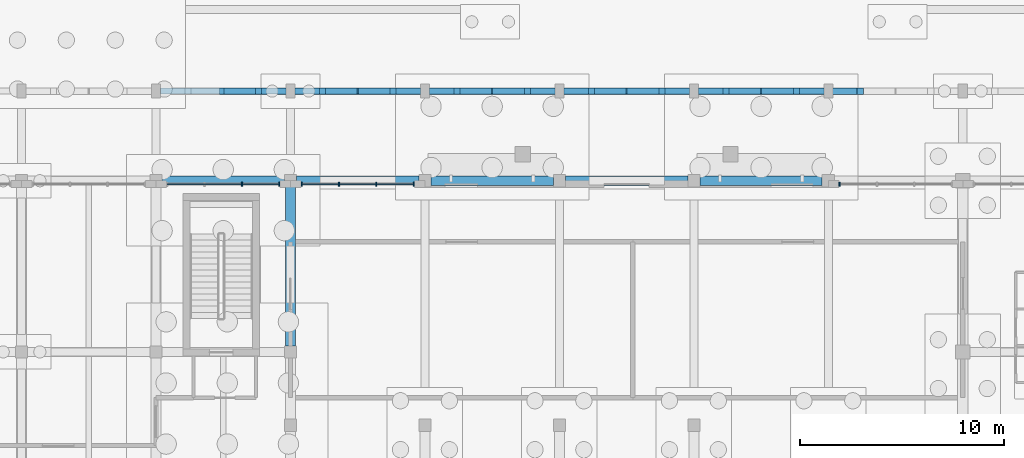
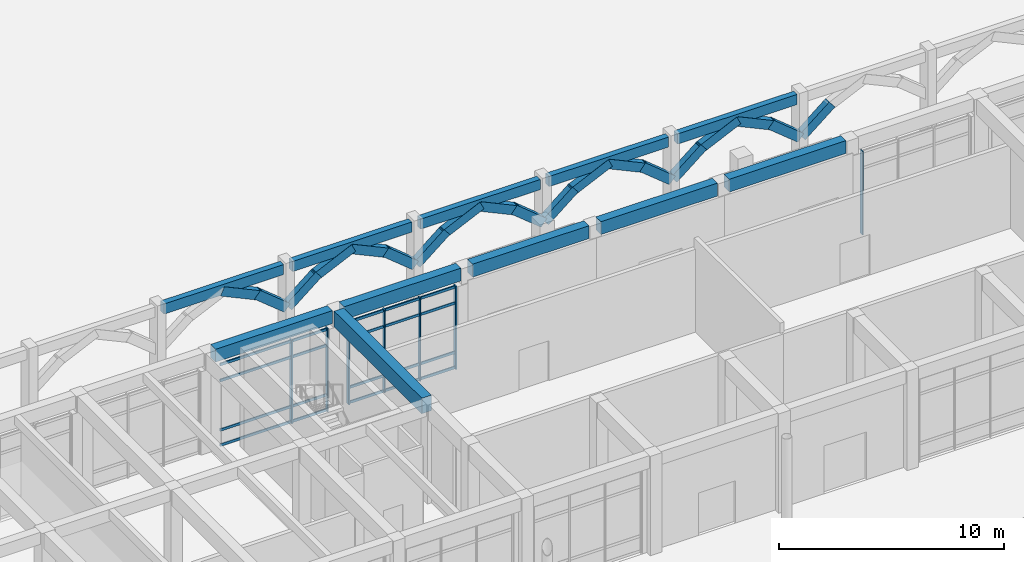
# One storey, part 30 of 82: 34 members, 11 beams, 3 elements without a shape of their own.
"""IFC4 building model written with IfcOpenShell, lengths in metres."""

import ifcopenshell
import ifcopenshell.guid

model = None  # the IFC model being written
_history = None  # IfcOwnerHistory: only IFC2X3 demands one
_inside = {}  # id of a spatial element -> (the spatial element, [elements in it])
_under = {}  # id of a project, library or spatial element -> (it, [spatial elements below it])
_declared = {}  # id of a project -> (the project, [libraries it declares])
_typed = {}  # id of a type object -> (the type object, [elements of that type])
_made_of = {}  # id of a material, layer set ... -> (it, [elements and type objects made of it])


def new_model(schema):
    """Start an empty IFC model of exactly this schema.

    Asked for "IFC4X3", IfcOpenShell would pick the latest addendum, in which some entities
    have other attributes; the version numbers below select the first issue.
    IFC2X3 requires an IfcOwnerHistory on every rooted entity: one is made here for all.
    """
    global model, _history
    if schema == "IFC4X3":
        model = ifcopenshell.file(schema_version=(4, 3, 0, 0))
    else:
        model = ifcopenshell.file(schema=schema)
    _inside.clear()
    _under.clear()
    _declared.clear()
    _typed.clear()
    _made_of.clear()
    _history = None
    if model.schema == "IFC2X3":
        org = make("IfcOrganization", Name="unknown")
        user = make(
            "IfcPersonAndOrganization",
            ThePerson=make("IfcPerson", FamilyName="unknown"),
            TheOrganization=org,
        )
        app = make(
            "IfcApplication",
            ApplicationDeveloper=org,
            Version="unknown",
            ApplicationFullName="unknown",
            ApplicationIdentifier="unknown",
        )
        _history = make(
            "IfcOwnerHistory",
            OwningUser=user,
            OwningApplication=app,
            ChangeAction="ADDED",
            CreationDate=0,
        )
    return model


def make(cls, **values):
    """One entity of the class cls with the attributes given. An attribute that is None is left unset."""
    return model.create_entity(
        cls, **{name: value for name, value in values.items() if value is not None}
    )


def rooted(cls, **values):
    """An entity with a GlobalId (a new one), such as an element, a storey or a relation."""
    return make(cls, GlobalId=ifcopenshell.guid.new(), OwnerHistory=_history, **values)


def si_unit(unit_type, name, prefix=None):
    """IfcSIUnit, for example si_unit("LENGTHUNIT", "METRE", prefix="MILLI")."""
    return make("IfcSIUnit", UnitType=unit_type, Prefix=prefix, Name=name)


def assignment(units):
    """IfcUnitAssignment: the units of a project."""
    return None if units is None else make("IfcUnitAssignment", Units=units)


def point(xyz):
    """IfcCartesianPoint."""
    return None if xyz is None else make("IfcCartesianPoint", Coordinates=xyz)


def direction(xyz):
    """IfcDirection."""
    return None if xyz is None else make("IfcDirection", DirectionRatios=xyz)


def frame(location, z_axis=None, x_axis=None):
    """IfcAxis2Placement3D, a coordinate frame: its origin and axes. An axis left out is left unset."""
    return make(
        "IfcAxis2Placement3D",
        Location=point(location),
        Axis=direction(z_axis),
        RefDirection=direction(x_axis),
    )


def frame_2d(location, x_axis=None):
    """IfcAxis2Placement2D, a coordinate frame in the plane: its origin and x axis."""
    return make(
        "IfcAxis2Placement2D", Location=point(location), RefDirection=direction(x_axis)
    )


def origin():
    """The frame at (0, 0, 0) with its axes left unset."""
    return frame((0.0, 0.0, 0.0))


def origin_2d():
    """The frame at (0, 0) in the plane with its x axis left unset."""
    return frame_2d((0.0, 0.0))


def place(relative_to, where):
    """IfcLocalPlacement: puts the frame where relative to a parent placement (None: the world)."""
    return make(
        "IfcLocalPlacement", PlacementRelTo=relative_to, RelativePlacement=where
    )


def context(
    kind, dimensions, precision=None, world=None, true_north=None, identifier=None
):
    """IfcGeometricRepresentationContext, for example the 3D "Model" context."""
    return make(
        "IfcGeometricRepresentationContext",
        ContextIdentifier=identifier,
        ContextType=kind,
        CoordinateSpaceDimension=dimensions,
        Precision=precision,
        WorldCoordinateSystem=world,
        TrueNorth=true_north,
    )


def subcontext(parent, identifier, kind, view, scale=None):
    """IfcGeometricRepresentationSubContext, for example "Body" below "Model"."""
    return make(
        "IfcGeometricRepresentationSubContext",
        ContextIdentifier=identifier,
        ContextType=kind,
        ParentContext=parent,
        TargetScale=scale,
        TargetView=view,
    )


def project(units=None, contexts=None):
    """IfcProject with its units and contexts."""
    return rooted(
        "IfcProject",
        Name="project",
        RepresentationContexts=contexts,
        UnitsInContext=assignment(units),
    )


def spatial(cls, under=None, at=None, **own):
    """A site, building, storey or space (cls), placed at a placement, below another one or the project."""
    s = rooted(cls, ObjectPlacement=at, **own)
    if under is not None:
        _under.setdefault(under.id(), (under, []))[1].append(s)
    return s


def profile(cls, at=None, kind="AREA", **sizes):
    """A parametric profile (cls). Its sizes go by their IFC names, for example OverallWidth=200.0."""
    return make(cls, ProfileType=kind, Position=at, **sizes)


def rectangle(**sizes):
    """IfcRectangleProfileDef."""
    return profile("IfcRectangleProfileDef", **sizes)


def extrude(swept, where, along, depth):
    """IfcExtrudedAreaSolid: the profile swept, set in the frame where, extruded along a direction by depth."""
    return make(
        "IfcExtrudedAreaSolid",
        SweptArea=swept,
        Position=where,
        ExtrudedDirection=direction(along),
        Depth=depth,
    )


def shape(context_of_items, identifier, shape_type, items):
    """IfcShapeRepresentation: the items that make up one representation, for example the "Body"."""
    return make(
        "IfcShapeRepresentation",
        ContextOfItems=context_of_items,
        RepresentationIdentifier=identifier,
        RepresentationType=shape_type,
        Items=items,
    )


def material(Name=None, Category=None):
    """IfcMaterial."""
    return make("IfcMaterial", Name=Name, Category=Category)


def layer(
    of_material, thickness, ventilated=None, Name=None, Category=None, Priority=None
):
    """IfcMaterialLayer: one layer of a wall or slab, of a material (None: an air gap)."""
    return make(
        "IfcMaterialLayer",
        Material=of_material,
        LayerThickness=thickness,
        IsVentilated=ventilated,
        Name=Name,
        Category=Category,
        Priority=Priority,
    )


def layer_set(layers, Name=None):
    """IfcMaterialLayerSet."""
    return make("IfcMaterialLayerSet", MaterialLayers=layers, LayerSetName=Name)


def material_profile(
    of_material, cross_section, Name=None, Category=None, Priority=None
):
    """IfcMaterialProfile: a cross section and its material."""
    return make(
        "IfcMaterialProfile",
        Name=Name,
        Material=of_material,
        Profile=cross_section,
        Priority=Priority,
        Category=Category,
    )


def profile_set(profiles, Name=None, composite=None):
    """IfcMaterialProfileSet."""
    return make(
        "IfcMaterialProfileSet",
        Name=Name,
        MaterialProfiles=profiles,
        CompositeProfile=composite,
    )


def made_of(thing, what):
    """Note that an element or type object is made of a material, layer set ...; save() writes the relation."""
    if what is not None:
        _made_of.setdefault(what.id(), (what, []))[1].append(thing)
    return thing


def type_object(cls, material=None, **own):
    """A type object (cls), such as IfcWallType, which elements share."""
    return made_of(rooted(cls, **own), material)


def element(
    cls,
    number,
    at=None,
    inside=None,
    cuts=None,
    type_object=None,
    material=None,
    context=None,
    identifier="Body",
    shape_type=None,
    held_by="IfcProductDefinitionShape",
    body=None,
    shapes=None,
    **own,
):
    """One element of the class cls, such as IfcWall. Its Tag is "e" and its number.

    at: its placement. inside: the storey or other place that contains it. cuts: it is an
    opening in that element (IfcRelVoidsElement). A single representation is given by context,
    identifier, shape_type and body (its items); several are given by shapes. held_by: the class
    of the entity that holds the representations. save() writes the other relations.
    """
    e = rooted(cls, Tag="e%d" % number, ObjectPlacement=at, **own)
    if body is not None:
        shapes = [shape(context, identifier, shape_type, body)]
    if shapes is not None:
        e.Representation = make(held_by, Representations=shapes)
    if inside is not None:
        _inside.setdefault(inside.id(), (inside, []))[1].append(e)
    if cuts is not None:
        rooted(
            "IfcRelVoidsElement", RelatingBuildingElement=cuts, RelatedOpeningElement=e
        )
    if type_object is not None:
        _typed.setdefault(type_object.id(), (type_object, []))[1].append(e)
    return made_of(e, material)


def aggregate(whole, parts):
    """IfcRelAggregates: a whole, such as a stair, and the parts it consists of."""
    return rooted("IfcRelAggregates", RelatingObject=whole, RelatedObjects=parts)


def save(model, path):
    """Write the relations noted so far, then the file.

    IfcRelAggregates (storeys below a building ...), IfcRelContainedInSpatialStructure (elements
    in a storey), IfcRelDefinesByType, IfcRelAssociatesMaterial and IfcRelDeclares: one each for
    every whole, place, type object, material and project.
    """
    for whole, parts in _under.values():
        aggregate(whole, parts)
    for where, things in _inside.values():
        rooted(
            "IfcRelContainedInSpatialStructure",
            RelatedElements=things,
            RelatingStructure=where,
        )
    for kind, things in _typed.values():
        rooted("IfcRelDefinesByType", RelatedObjects=things, RelatingType=kind)
    for what, things in _made_of.values():
        rooted("IfcRelAssociatesMaterial", RelatedObjects=things, RelatingMaterial=what)
    for by, libraries in _declared.values():
        rooted("IfcRelDeclares", RelatingContext=by, RelatedDefinitions=libraries)
    model.write(path)


model = new_model("IFC4")

# Units and contexts
model_context = context("Model", 3, precision=1e-05, world=origin(), true_north=direction((0.0, 1.0)))
body_context = subcontext(model_context, "Body", "Model", "MODEL_VIEW")
ifc_project = project(units=[si_unit("LENGTHUNIT", "METRE"), si_unit("AREAUNIT", "SQUARE_METRE"), si_unit("VOLUMEUNIT", "CUBIC_METRE"), si_unit("PLANEANGLEUNIT", "RADIAN"), si_unit("MASSUNIT", "GRAM", prefix="KILO")], contexts=[model_context])

# Site, building, storey
site_placement = place(None, origin())
site = spatial("IfcSite", under=ifc_project, at=site_placement, CompositionType="ELEMENT")
building_placement = place(site_placement, origin())
building = spatial("IfcBuilding", under=site, at=building_placement, Name="Kolvaren Faculty of Natural Sciences", CompositionType="ELEMENT")
storey_placement = place(building_placement, origin())
storey = spatial("IfcBuildingStorey", under=building, at=storey_placement, Name="L00", CompositionType="ELEMENT", Elevation=0.0)

# Curtain wall, members
ifc_material_1 = material(Name="Thermally broken anodised aluminium framing", Category="aluminium")
ifc_layer = layer(ifc_material_1, 0.179931640625)
ifc_layer_set = layer_set([ifc_layer], Name="Thermally broken anodised aluminium framing")
curtain_wall_type = type_object("IfcCurtainWallType", Name="AtriumCurtainWall_CW01", PredefinedType="NOTDEFINED", material=ifc_layer_set)
curtain_wall_1_placement = place(storey_placement, origin())
curtain_wall_1 = element("IfcCurtainWall", 1, at=curtain_wall_1_placement, inside=storey, type_object=curtain_wall_type, Name="L00 unitised curtain wall CW-01 (CW-L00-009)", PredefinedType="NOTDEFINED")
ifc_material_profile_1 = material_profile(ifc_material_1, rectangle(XDim=0.06005859375, YDim=0.179931640625, at=origin_2d()), Name="ALU MUL 60x180")
ifc_profile_set_1 = profile_set([ifc_material_profile_1], Name="Thermally broken anodised aluminium framing")
member_type_1 = type_object("IfcMemberType", Name="CurtainMullion_60x180", PredefinedType="MULLION", material=ifc_profile_set_1)
member_1_placement = place(storey_placement, frame((63.816650390625, 84.030029296875, 0.0), z_axis=(0.0, 0.0, 1.0), x_axis=(1.0, 0.0, 0.0)))
member_1 = element("IfcMember", 2, at=member_1_placement, type_object=member_type_1, Name="CW-L00-009 vertical mullion 3", PredefinedType="MULLION", context=body_context, shape_type="SweptSolid", body=[
    extrude(rectangle(XDim=0.06005859375, YDim=0.179931640625, at=origin_2d()), origin(), (0.0, 0.0, 1.0), 4.534912109375),
])
member_2_placement = place(storey_placement, frame((65.64990234375, 84.030029296875, 0.0), z_axis=(0.0, 0.0, 1.0), x_axis=(1.0, 0.0, 0.0)))
member_2 = element("IfcMember", 3, at=member_2_placement, type_object=member_type_1, Name="CW-L00-009 vertical mullion 4", PredefinedType="MULLION", context=body_context, shape_type="SweptSolid", body=[
    extrude(rectangle(XDim=0.06005859375, YDim=0.179931640625, at=origin_2d()), origin(), (0.0, 0.0, 1.0), 4.534912109375),
])

curtain_wall_2_placement = place(storey_placement, origin())
curtain_wall_2 = element("IfcCurtainWall", 4, at=curtain_wall_2_placement, inside=storey, type_object=curtain_wall_type, Name="L00 unitised curtain wall CW-01 (CW-L00-010)", PredefinedType="NOTDEFINED")
member_3_placement = place(storey_placement, frame((66.75, 84.030029296875, 0.0), z_axis=(0.0, 0.0, 1.0), x_axis=(1.0, 0.0, 0.0)))
member_3 = element("IfcMember", 5, at=member_3_placement, type_object=member_type_1, Name="CW-L00-010 vertical mullion 1", PredefinedType="MULLION", context=body_context, shape_type="SweptSolid", body=[
    extrude(rectangle(XDim=0.06005859375, YDim=0.179931640625, at=origin_2d()), origin(), (0.0, 0.0, 1.0), 4.534912109375),
])
member_4_placement = place(storey_placement, frame((68.583251953125, 84.030029296875, 0.0), z_axis=(0.0, 0.0, 1.0), x_axis=(1.0, 0.0, 0.0)))
member_4 = element("IfcMember", 6, at=member_4_placement, type_object=member_type_1, Name="CW-L00-010 vertical mullion 2", PredefinedType="MULLION", context=body_context, shape_type="SweptSolid", body=[
    extrude(rectangle(XDim=0.06005859375, YDim=0.179931640625, at=origin_2d()), origin(), (0.0, 0.0, 1.0), 4.534912109375),
])
member_5_placement = place(storey_placement, frame((70.416748046875, 84.030029296875, 0.0), z_axis=(0.0, 0.0, 1.0), x_axis=(1.0, 0.0, 0.0)))
member_5 = element("IfcMember", 7, at=member_5_placement, type_object=member_type_1, Name="CW-L00-010 vertical mullion 3", PredefinedType="MULLION", context=body_context, shape_type="SweptSolid", body=[
    extrude(rectangle(XDim=0.06005859375, YDim=0.179931640625, at=origin_2d()), origin(), (0.0, 0.0, 1.0), 4.534912109375),
])
member_6_placement = place(storey_placement, frame((72.25, 84.030029296875, 0.0), z_axis=(0.0, 0.0, 1.0), x_axis=(1.0, 0.0, 0.0)))
member_6 = element("IfcMember", 8, at=member_6_placement, type_object=member_type_1, Name="CW-L00-010 vertical mullion 4", PredefinedType="MULLION", context=body_context, shape_type="SweptSolid", body=[
    extrude(rectangle(XDim=0.06005859375, YDim=0.179931640625, at=origin_2d()), origin(), (0.0, 0.0, 1.0), 4.534912109375),
])

# Curtain wall, member
curtain_wall_3_placement = place(storey_placement, origin())
curtain_wall_3 = element("IfcCurtainWall", 9, at=curtain_wall_3_placement, inside=storey, type_object=curtain_wall_type, Name="L00 unitised curtain wall CW-01 (CW-L00-011)", PredefinedType="NOTDEFINED")
member_7_placement = place(storey_placement, frame((93.14990234375, 84.030029296875, 0.0), z_axis=(0.0, 0.0, 1.0), x_axis=(1.0, 0.0, 0.0)))
member_7 = element("IfcMember", 10, at=member_7_placement, type_object=member_type_1, Name="CW-L00-011 vertical mullion 1", PredefinedType="MULLION", context=body_context, shape_type="SweptSolid", body=[
    extrude(rectangle(XDim=0.06005859375, YDim=0.179931640625, at=origin_2d()), origin(), (0.0, 0.0, 1.0), 4.534912109375),
])
aggregate(curtain_wall_3, [member_7])

# Member
ifc_material_profile_2 = material_profile(ifc_material_1, rectangle(XDim=0.06005859375, YDim=0.139892578125, at=origin_2d()), Name="ALU TRN 60x140")
ifc_profile_set_2 = profile_set([ifc_material_profile_2], Name="Thermally broken anodised aluminium framing")
member_type_2 = type_object("IfcMemberType", Name="CurtainTransom_60x140", PredefinedType="USERDEFINED", material=ifc_profile_set_2)
member_8_placement = place(storey_placement, frame((60.14990234375, 84.030029296875, 0.080078125), z_axis=(1.0, 0.0, 0.0), x_axis=(0.0, 1.0, 0.0)))
member_8 = element("IfcMember", 11, at=member_8_placement, type_object=member_type_2, Name="CW-L00-009 horizontal transom 1", ObjectType="TRANSOM", PredefinedType="USERDEFINED", context=body_context, shape_type="SweptSolid", body=[
    extrude(rectangle(XDim=0.06005859375, YDim=0.139892578125, at=origin_2d()), origin(), (0.0, 0.0, 1.0), 5.5),
])

member_9_placement = place(storey_placement, frame((60.14990234375, 84.030029296875, 0.89990234375), z_axis=(1.0, 0.0, 0.0), x_axis=(0.0, 1.0, 0.0)))
member_9 = element("IfcMember", 12, at=member_9_placement, type_object=member_type_2, Name="CW-L00-009 horizontal transom 2", ObjectType="TRANSOM", PredefinedType="USERDEFINED", context=body_context, shape_type="SweptSolid", body=[
    extrude(rectangle(XDim=0.06005859375, YDim=0.139892578125, at=origin_2d()), origin(), (0.0, 0.0, 1.0), 5.5),
])

member_10_placement = place(storey_placement, frame((60.14990234375, 84.030029296875, 3.5849609375), z_axis=(1.0, 0.0, 0.0), x_axis=(0.0, 1.0, 0.0)))
member_10 = element("IfcMember", 13, at=member_10_placement, type_object=member_type_2, Name="CW-L00-009 horizontal transom 3", ObjectType="TRANSOM", PredefinedType="USERDEFINED", context=body_context, shape_type="SweptSolid", body=[
    extrude(rectangle(XDim=0.06005859375, YDim=0.139892578125, at=origin_2d()), origin(), (0.0, 0.0, 1.0), 5.5),
])

member_11_placement = place(storey_placement, frame((60.14990234375, 84.030029296875, 4.455078125), z_axis=(1.0, 0.0, 0.0), x_axis=(0.0, 1.0, 0.0)))
member_11 = element("IfcMember", 14, at=member_11_placement, type_object=member_type_2, Name="CW-L00-009 horizontal transom 4", ObjectType="TRANSOM", PredefinedType="USERDEFINED", context=body_context, shape_type="SweptSolid", body=[
    extrude(rectangle(XDim=0.06005859375, YDim=0.139892578125, at=origin_2d()), origin(), (0.0, 0.0, 1.0), 5.5),
])

aggregate(curtain_wall_1, [member_1, member_2, member_8, member_9, member_10, member_11])

member_12_placement = place(storey_placement, frame((66.75, 84.030029296875, 0.080078125), z_axis=(1.0, 0.0, 0.0), x_axis=(0.0, 1.0, 0.0)))
member_12 = element("IfcMember", 15, at=member_12_placement, type_object=member_type_2, Name="CW-L00-010 horizontal transom 1", ObjectType="TRANSOM", PredefinedType="USERDEFINED", context=body_context, shape_type="SweptSolid", body=[
    extrude(rectangle(XDim=0.06005859375, YDim=0.139892578125, at=origin_2d()), origin(), (0.0, 0.0, 1.0), 5.5),
])

member_13_placement = place(storey_placement, frame((66.75, 84.030029296875, 0.89990234375), z_axis=(1.0, 0.0, 0.0), x_axis=(0.0, 1.0, 0.0)))
member_13 = element("IfcMember", 16, at=member_13_placement, type_object=member_type_2, Name="CW-L00-010 horizontal transom 2", ObjectType="TRANSOM", PredefinedType="USERDEFINED", context=body_context, shape_type="SweptSolid", body=[
    extrude(rectangle(XDim=0.06005859375, YDim=0.139892578125, at=origin_2d()), origin(), (0.0, 0.0, 1.0), 5.5),
])

member_14_placement = place(storey_placement, frame((66.75, 84.030029296875, 3.5849609375), z_axis=(1.0, 0.0, 0.0), x_axis=(0.0, 1.0, 0.0)))
member_14 = element("IfcMember", 17, at=member_14_placement, type_object=member_type_2, Name="CW-L00-010 horizontal transom 3", ObjectType="TRANSOM", PredefinedType="USERDEFINED", context=body_context, shape_type="SweptSolid", body=[
    extrude(rectangle(XDim=0.06005859375, YDim=0.139892578125, at=origin_2d()), origin(), (0.0, 0.0, 1.0), 5.5),
])

member_15_placement = place(storey_placement, frame((66.75, 84.030029296875, 4.455078125), z_axis=(1.0, 0.0, 0.0), x_axis=(0.0, 1.0, 0.0)))
member_15 = element("IfcMember", 18, at=member_15_placement, type_object=member_type_2, Name="CW-L00-010 horizontal transom 4", ObjectType="TRANSOM", PredefinedType="USERDEFINED", context=body_context, shape_type="SweptSolid", body=[
    extrude(rectangle(XDim=0.06005859375, YDim=0.139892578125, at=origin_2d()), origin(), (0.0, 0.0, 1.0), 5.5),
])

aggregate(curtain_wall_2, [member_3, member_4, member_5, member_6, member_12, member_13, member_14, member_15])

# Members
ifc_material_2 = material(Name="Precast concrete C35/45", Category="concrete")
ifc_material_profile_3 = material_profile(ifc_material_2, rectangle(XDim=0.320068359375, YDim=0.47998046875, at=origin_2d()), Name="RC ARCH 320x480")
ifc_profile_set_3 = profile_set([ifc_material_profile_3], Name="Precast concrete C35/45")
member_type_3 = type_object("IfcMemberType", Name="MughalPointedArchRib_320x480", PredefinedType="CHORD", material=ifc_profile_set_3)
member_16_placement = place(storey_placement, frame((62.827392578125, 88.60009765625, 4.813720703125), z_axis=(0.907100951043, 0.0, -0.420913131914), x_axis=(0.0, 1.0, 0.0)))
element("IfcMember", 19, at=member_16_placement, inside=storey, type_object=member_type_3, Name="Pointed Mughal arch rib ARW-S-596 segment 3", PredefinedType="CHORD", context=body_context, shape_type="SweptSolid", body=[
    extrude(rectangle(XDim=0.320068359375, YDim=0.47998046875, at=origin_2d()), origin(), (0.0, 0.0, 1.0), 2.1357421875),
])
for number, where, z_axis, x_axis, name in (
    (20, (64.6298828125, 88.60009765625, 3.9990234375), (0.774979608522, 0.0, -0.631986239072), (0.0, 1.0, 0.0), "Pointed Mughal arch rib ARW-S-596 segment 4"),
    (21, (66.238037109375, 88.60009765625, 2.74951171875), (0.774930281496, 0.0, 0.632046722023), (0.0, 1.0, 0.0), "Pointed Mughal arch rib ARW-S-662 segment 1"),
):
    element("IfcMember", number, at=place(storey_placement, frame(where, z_axis=z_axis, x_axis=x_axis)), inside=storey, type_object=member_type_3, Name=name, PredefinedType="CHORD", context=body_context, shape_type="SweptSolid", body=[
        extrude(rectangle(XDim=0.320068359375, YDim=0.47998046875, at=origin_2d()), origin(), (0.0, 0.0, 1.0), 1.97705078125),
    ])
for number, where, z_axis, x_axis, name in (
    (22, (67.635498046875, 88.60009765625, 3.914794921875), (0.907080694692, 0.0, 0.420956783193), (0.0, 1.0, 0.0), "Pointed Mughal arch rib ARW-S-662 segment 2"),
    (23, (69.427490234375, 88.60009765625, 4.813720703125), (0.907080694692, 0.0, -0.420956783193), (0.0, 1.0, 0.0), "Pointed Mughal arch rib ARW-S-662 segment 3"),
):
    element("IfcMember", number, at=place(storey_placement, frame(where, z_axis=z_axis, x_axis=x_axis)), inside=storey, type_object=member_type_3, Name=name, PredefinedType="CHORD", context=body_context, shape_type="SweptSolid", body=[
        extrude(rectangle(XDim=0.320068359375, YDim=0.47998046875, at=origin_2d()), origin(), (0.0, 0.0, 1.0), 2.135498046875),
    ])
for number, where, z_axis, x_axis, name in (
    (24, (71.22998046875, 88.60009765625, 3.9990234375), (0.774930281496, 0.0, -0.632046722023), (0.0, 1.0, 0.0), "Pointed Mughal arch rib ARW-S-662 segment 4"),
    (25, (72.837890625, 88.60009765625, 2.74951171875), (0.774979608522, 0.0, 0.631986239072), (0.0, 1.0, 0.0), "Pointed Mughal arch rib ARW-S-728 segment 1"),
):
    element("IfcMember", number, at=place(storey_placement, frame(where, z_axis=z_axis, x_axis=x_axis)), inside=storey, type_object=member_type_3, Name=name, PredefinedType="CHORD", context=body_context, shape_type="SweptSolid", body=[
        extrude(rectangle(XDim=0.320068359375, YDim=0.47998046875, at=origin_2d()), origin(), (0.0, 0.0, 1.0), 1.97705078125),
    ])
for number, where, z_axis, x_axis, name in (
    (26, (74.2353515625, 88.60009765625, 3.914794921875), (0.907100951043, 0.0, 0.420913131914), (0.0, 1.0, 0.0), "Pointed Mughal arch rib ARW-S-728 segment 2"),
    (27, (76.02734375, 88.60009765625, 4.813720703125), (0.907100951043, 0.0, -0.420913131914), (0.0, 1.0, 0.0), "Pointed Mughal arch rib ARW-S-728 segment 3"),
):
    element("IfcMember", number, at=place(storey_placement, frame(where, z_axis=z_axis, x_axis=x_axis)), inside=storey, type_object=member_type_3, Name=name, PredefinedType="CHORD", context=body_context, shape_type="SweptSolid", body=[
        extrude(rectangle(XDim=0.320068359375, YDim=0.47998046875, at=origin_2d()), origin(), (0.0, 0.0, 1.0), 2.1357421875),
    ])
for number, where, z_axis, x_axis, name in (
    (28, (77.830078125, 88.60009765625, 3.9990234375), (0.774930281496, 0.0, -0.632046722023), (0.0, 1.0, 0.0), "Pointed Mughal arch rib ARW-S-728 segment 4"),
    (29, (79.43798828125, 88.60009765625, 2.74951171875), (0.774930281496, 0.0, 0.632046722023), (0.0, 1.0, 0.0), "Pointed Mughal arch rib ARW-S-794 segment 1"),
):
    element("IfcMember", number, at=place(storey_placement, frame(where, z_axis=z_axis, x_axis=x_axis)), inside=storey, type_object=member_type_3, Name=name, PredefinedType="CHORD", context=body_context, shape_type="SweptSolid", body=[
        extrude(rectangle(XDim=0.320068359375, YDim=0.47998046875, at=origin_2d()), origin(), (0.0, 0.0, 1.0), 1.97705078125),
    ])
for number, where, z_axis, x_axis, name in (
    (30, (80.83544921875, 88.60009765625, 3.914794921875), (0.907100951043, 0.0, 0.420913131914), (0.0, 1.0, 0.0), "Pointed Mughal arch rib ARW-S-794 segment 2"),
    (31, (82.62744140625, 88.60009765625, 4.813720703125), (0.907100951043, 0.0, -0.420913131914), (0.0, 1.0, 0.0), "Pointed Mughal arch rib ARW-S-794 segment 3"),
):
    element("IfcMember", number, at=place(storey_placement, frame(where, z_axis=z_axis, x_axis=x_axis)), inside=storey, type_object=member_type_3, Name=name, PredefinedType="CHORD", context=body_context, shape_type="SweptSolid", body=[
        extrude(rectangle(XDim=0.320068359375, YDim=0.47998046875, at=origin_2d()), origin(), (0.0, 0.0, 1.0), 2.1357421875),
    ])
for number, where, z_axis, x_axis, name in (
    (32, (84.429931640625, 88.60009765625, 3.9990234375), (0.774930281496, 0.0, -0.632046722023), (0.0, 1.0, 0.0), "Pointed Mughal arch rib ARW-S-794 segment 4"),
    (33, (86.0380859375, 88.60009765625, 2.74951171875), (0.774930281496, 0.0, 0.632046722023), (0.0, 1.0, 0.0), "Pointed Mughal arch rib ARW-S-860 segment 1"),
):
    element("IfcMember", number, at=place(storey_placement, frame(where, z_axis=z_axis, x_axis=x_axis)), inside=storey, type_object=member_type_3, Name=name, PredefinedType="CHORD", context=body_context, shape_type="SweptSolid", body=[
        extrude(rectangle(XDim=0.320068359375, YDim=0.47998046875, at=origin_2d()), origin(), (0.0, 0.0, 1.0), 1.97705078125),
    ])
for number, where, z_axis, x_axis, name in (
    (34, (87.435302734375, 88.60009765625, 3.914794921875), (0.907100951043, 0.0, 0.420913131914), (0.0, 1.0, 0.0), "Pointed Mughal arch rib ARW-S-860 segment 2"),
    (35, (89.227294921875, 88.60009765625, 4.813720703125), (0.907100951043, 0.0, -0.420913131914), (0.0, 1.0, 0.0), "Pointed Mughal arch rib ARW-S-860 segment 3"),
):
    element("IfcMember", number, at=place(storey_placement, frame(where, z_axis=z_axis, x_axis=x_axis)), inside=storey, type_object=member_type_3, Name=name, PredefinedType="CHORD", context=body_context, shape_type="SweptSolid", body=[
        extrude(rectangle(XDim=0.320068359375, YDim=0.47998046875, at=origin_2d()), origin(), (0.0, 0.0, 1.0), 2.1357421875),
    ])
for number, where, z_axis, x_axis, name in (
    (36, (91.030029296875, 88.60009765625, 3.9990234375), (0.774930281496, 0.0, -0.632046722023), (0.0, 1.0, 0.0), "Pointed Mughal arch rib ARW-S-860 segment 4"),
    (37, (92.637939453125, 88.60009765625, 2.74951171875), (0.774930281496, 0.0, 0.632046722023), (0.0, 1.0, 0.0), "Pointed Mughal arch rib ARW-S-926 segment 1"),
):
    element("IfcMember", number, at=place(storey_placement, frame(where, z_axis=z_axis, x_axis=x_axis)), inside=storey, type_object=member_type_3, Name=name, PredefinedType="CHORD", context=body_context, shape_type="SweptSolid", body=[
        extrude(rectangle(XDim=0.320068359375, YDim=0.47998046875, at=origin_2d()), origin(), (0.0, 0.0, 1.0), 1.97705078125),
    ])

# Beams
ifc_material_3 = material(Name="Concrete C35/45", Category="concrete")
ifc_material_profile_4 = material_profile(ifc_material_3, rectangle(XDim=0.300048828125, YDim=0.550048828125, at=origin_2d()), Name="RC SP 300x550")
ifc_profile_set_4 = profile_set([ifc_material_profile_4], Name="Concrete C35/45")
beam_type_1 = type_object("IfcBeamType", Name="PerimeterSpandrel_300x550", PredefinedType="SPANDREL", material=ifc_profile_set_4)
beam_1_placement = place(storey_placement, frame((59.824951171875, 88.60009765625, 4.89501953125), z_axis=(1.0, 0.0, 0.0), x_axis=(0.0, 1.0, 0.0)))
element("IfcBeam", 38, at=beam_1_placement, inside=storey, type_object=beam_type_1, Name="North square riwaq arcade arch-spandrel beam", PredefinedType="SPANDREL", context=body_context, shape_type="SweptSolid", body=[
    extrude(rectangle(XDim=0.300048828125, YDim=0.550048828125, at=origin_2d()), origin(), (0.0, 0.0, 1.0), 6.150146484375),
])
beam_2_placement = place(storey_placement, frame((66.425048828125, 88.60009765625, 4.89501953125), z_axis=(1.0, 0.0, 0.0), x_axis=(0.0, 1.0, 0.0)))
element("IfcBeam", 39, at=beam_2_placement, inside=storey, type_object=beam_type_1, Name="North square riwaq arcade arch-spandrel beam", PredefinedType="SPANDREL", context=body_context, shape_type="SweptSolid", body=[
    extrude(rectangle(XDim=0.300048828125, YDim=0.550048828125, at=origin_2d()), origin(), (0.0, 0.0, 1.0), 6.14990234375),
])
beam_3_placement = place(storey_placement, frame((73.02490234375, 88.60009765625, 4.89501953125), z_axis=(1.0, 0.0, 0.0), x_axis=(0.0, 1.0, 0.0)))
element("IfcBeam", 40, at=beam_3_placement, inside=storey, type_object=beam_type_1, Name="North square riwaq arcade arch-spandrel beam", PredefinedType="SPANDREL", context=body_context, shape_type="SweptSolid", body=[
    extrude(rectangle(XDim=0.300048828125, YDim=0.550048828125, at=origin_2d()), origin(), (0.0, 0.0, 1.0), 6.150146484375),
])
for number, where, z_axis, x_axis, name in (
    (41, (79.625, 88.60009765625, 4.89501953125), (1.0, 0.0, 0.0), (0.0, 1.0, 0.0), "North square riwaq arcade arch-spandrel beam"),
    (42, (86.22509765625, 88.60009765625, 4.89501953125), (1.0, 0.0, 0.0), (0.0, 1.0, 0.0), "North square riwaq arcade arch-spandrel beam"),
):
    element("IfcBeam", number, at=place(storey_placement, frame(where, z_axis=z_axis, x_axis=x_axis)), inside=storey, type_object=beam_type_1, Name=name, PredefinedType="SPANDREL", context=body_context, shape_type="SweptSolid", body=[
        extrude(rectangle(XDim=0.300048828125, YDim=0.550048828125, at=origin_2d()), origin(), (0.0, 0.0, 1.0), 6.14990234375),
    ])
ifc_material_profile_5 = material_profile(ifc_material_3, rectangle(XDim=0.449951171875, YDim=0.699951171875, at=origin_2d()), Name="RC SP 450x700")
ifc_profile_set_5 = profile_set([ifc_material_profile_5], Name="Concrete C35/45")
beam_type_2 = type_object("IfcBeamType", Name="PerimeterSpandrel_450x700", PredefinedType="SPANDREL", material=ifc_profile_set_5)
for number, where, z_axis, x_axis, name in (
    (43, (59.89990234375, 84.199951171875, 5.050048828125), (1.0, 0.0, 0.0), (0.0, 1.0, 0.0), "L00 spandrel SP-70 on grid L"),
    (44, (66.5, 84.199951171875, 5.050048828125), (1.0, 0.0, 0.0), (0.0, 1.0, 0.0), "L00 spandrel SP-70 on grid L"),
    (45, (73.10009765625, 84.199951171875, 5.050048828125), (1.0, 0.0, 0.0), (0.0, 1.0, 0.0), "L00 spandrel SP-70 on grid L"),
    (46, (79.699951171875, 84.199951171875, 5.050048828125), (1.0, 0.0, 0.0), (0.0, 1.0, 0.0), "L00 spandrel SP-70 on grid L"),
    (47, (86.300048828125, 84.199951171875, 5.050048828125), (1.0, 0.0, 0.0), (0.0, 1.0, 0.0), "L00 spandrel SP-70 on grid L"),
):
    element("IfcBeam", number, at=place(storey_placement, frame(where, z_axis=z_axis, x_axis=x_axis)), inside=storey, type_object=beam_type_2, Name=name, PredefinedType="SPANDREL", context=body_context, shape_type="SweptSolid", body=[
        extrude(rectangle(XDim=0.449951171875, YDim=0.699951171875, at=origin_2d()), origin(), (0.0, 0.0, 1.0), 6.0),
    ])
ifc_material_profile_6 = material_profile(ifc_material_3, rectangle(XDim=0.5, YDim=0.85009765625, at=origin_2d()), Name="RC BM 500x850")
ifc_profile_set_6 = profile_set([ifc_material_profile_6], Name="Concrete C35/45")
beam_type_3 = type_object("IfcBeamType", Name="PrimaryGirder_500x850", PredefinedType="BEAM", material=ifc_profile_set_6)
beam_4_placement = place(storey_placement, frame((66.199951171875, 76.10009765625, 4.97509765625), z_axis=(0.0, 1.0, 0.0), x_axis=(-1.0, 0.0, 0.0)))
element("IfcBeam", 48, at=beam_4_placement, inside=storey, type_object=beam_type_3, Name="L00 girder BG-85 on grid 11", PredefinedType="BEAM", context=body_context, shape_type="SweptSolid", body=[
    extrude(rectangle(XDim=0.5, YDim=0.85009765625, at=origin_2d()), origin(), (0.0, 0.0, 1.0), 7.7998046875),
])

save(model, "model.ifc")
